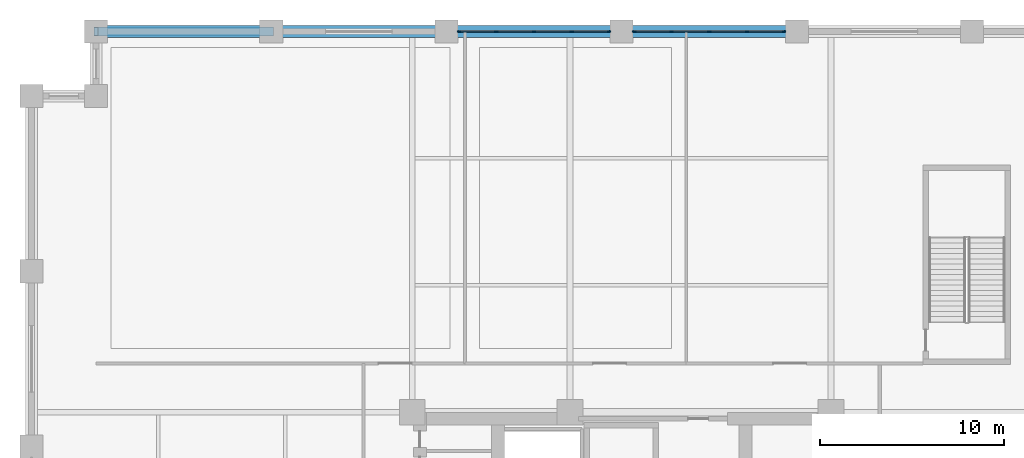
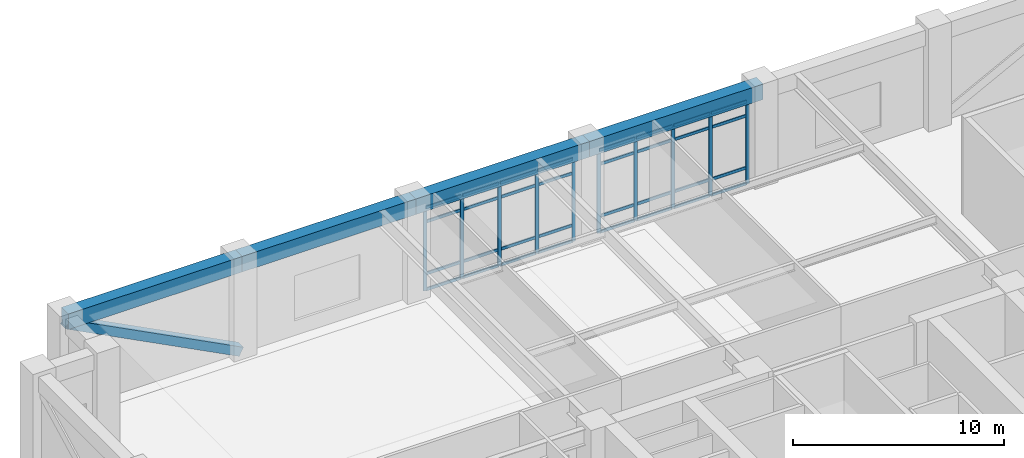
# One storey, part 9 of 21: 43 members, 4 beams, 2 elements without a shape of their own.
"""IFC4 building model written with IfcOpenShell, lengths in metres."""

from ifc_helpers import new_model, si_unit, direction, frame, origin, origin_2d, place, context, subcontext, project, spatial, rectangle, hollow_rectangle, extrude, material, layer, layer_set, material_profile, profile_set, type_object, element, aggregate, save


model = new_model("IFC4")

# Units and contexts
model_context = context("Model", 3, precision=1e-05, world=origin(), true_north=direction((0.0, 1.0)))
body_context = subcontext(model_context, "Body", "Model", "MODEL_VIEW")
ifc_project = project(units=[si_unit("LENGTHUNIT", "METRE"), si_unit("AREAUNIT", "SQUARE_METRE"), si_unit("VOLUMEUNIT", "CUBIC_METRE"), si_unit("PLANEANGLEUNIT", "RADIAN"), si_unit("MASSUNIT", "GRAM", prefix="KILO")], contexts=[model_context])

# Site, building, storey
site_placement = place(None, origin())
site = spatial("IfcSite", under=ifc_project, at=site_placement, CompositionType="ELEMENT")
building_placement = place(site_placement, origin())
building = spatial("IfcBuilding", under=site, at=building_placement, Name="Nhamokura Convention Tower", CompositionType="ELEMENT")
storey_placement = place(building_placement, frame((0.0, 0.0, 17.85009765625)))
storey = spatial("IfcBuildingStorey", under=building, at=storey_placement, Name="L03", CompositionType="ELEMENT", Elevation=17.85009765625)

# Curtain wall, members
ifc_material_1 = material(Name="Anodised bronze aluminium AA6063-T6", Category="aluminium")
ifc_layer = layer(ifc_material_1, 0.199951171875)
ifc_layer_set = layer_set([ifc_layer], Name="CWSystem_ConventionFoyer")
curtain_wall_type = type_object("IfcCurtainWallType", Name="CWSystem_ConventionFoyer", PredefinedType="NOTDEFINED", material=ifc_layer_set)
curtain_wall_1_placement = place(storey_placement, origin())
curtain_wall_1 = element("IfcCurtainWall", 1, at=curtain_wall_1_placement, inside=storey, type_object=curtain_wall_type, Name="L03 Curtain Wall ENV-L03-CW-N2", PredefinedType="NOTDEFINED")
ifc_material_2 = material(Name="Anodised bronze aluminium AA6063-T6", Category="aluminium")
ifc_material_profile_1 = material_profile(ifc_material_2, rectangle(XDim=0.074951171875, YDim=0.199951171875, at=origin_2d()))
ifc_profile_set_1 = profile_set([ifc_material_profile_1], Name="Anodised bronze aluminium AA6063-T6")
member_type_1 = type_object("IfcMemberType", Name="CWMullion_2", PredefinedType="MULLION", material=ifc_profile_set_1)
member_1_placement = place(storey_placement, frame((23.1875, 64.0, 0.0), z_axis=(0.0, 0.0, 1.0), x_axis=(0.0, 1.0, 0.0)))
member_1 = element("IfcMember", 2, at=member_1_placement, type_object=member_type_1, Name="CW-02 mullion 1", PredefinedType="MULLION", context=body_context, shape_type="SweptSolid", body=[
    extrude(rectangle(XDim=0.074951171875, YDim=0.199951171875, at=origin_2d()), origin(), (0.0, 0.0, 1.0), 4.809814453125),
])
member_2_placement = place(storey_placement, frame((25.199951171875, 64.0, 0.0), z_axis=(0.0, 0.0, 1.0), x_axis=(0.0, 1.0, 0.0)))
member_2 = element("IfcMember", 3, at=member_2_placement, type_object=member_type_1, Name="CW-02 mullion 2", PredefinedType="MULLION", context=body_context, shape_type="SweptSolid", body=[
    extrude(rectangle(XDim=0.074951171875, YDim=0.199951171875, at=origin_2d()), origin(), (0.0, 0.0, 1.0), 4.809814453125),
])
member_3_placement = place(storey_placement, frame((27.25, 64.0, 0.0), z_axis=(0.0, 0.0, 1.0), x_axis=(0.0, 1.0, 0.0)))
member_3 = element("IfcMember", 4, at=member_3_placement, type_object=member_type_1, Name="CW-02 mullion 3", PredefinedType="MULLION", context=body_context, shape_type="SweptSolid", body=[
    extrude(rectangle(XDim=0.074951171875, YDim=0.199951171875, at=origin_2d()), origin(), (0.0, 0.0, 1.0), 4.809814453125),
])
member_4_placement = place(storey_placement, frame((29.300048828125, 64.0, 0.0), z_axis=(0.0, 0.0, 1.0), x_axis=(0.0, 1.0, 0.0)))
member_4 = element("IfcMember", 5, at=member_4_placement, type_object=member_type_1, Name="CW-02 mullion 4", PredefinedType="MULLION", context=body_context, shape_type="SweptSolid", body=[
    extrude(rectangle(XDim=0.074951171875, YDim=0.199951171875, at=origin_2d()), origin(), (0.0, 0.0, 1.0), 4.809814453125),
])
member_5_placement = place(storey_placement, frame((31.3125, 64.0, 0.0), z_axis=(0.0, 0.0, 1.0), x_axis=(0.0, 1.0, 0.0)))
member_5 = element("IfcMember", 6, at=member_5_placement, type_object=member_type_1, Name="CW-02 mullion 5", PredefinedType="MULLION", context=body_context, shape_type="SweptSolid", body=[
    extrude(rectangle(XDim=0.074951171875, YDim=0.199951171875, at=origin_2d()), origin(), (0.0, 0.0, 1.0), 4.809814453125),
])

curtain_wall_2_placement = place(storey_placement, origin())
curtain_wall_2 = element("IfcCurtainWall", 7, at=curtain_wall_2_placement, inside=storey, type_object=curtain_wall_type, Name="L03 Curtain Wall ENV-L03-CW-N3", PredefinedType="NOTDEFINED")
member_6_placement = place(storey_placement, frame((32.6875, 64.0, 0.0), z_axis=(0.0, 0.0, 1.0), x_axis=(0.0, 1.0, 0.0)))
member_6 = element("IfcMember", 8, at=member_6_placement, type_object=member_type_1, Name="CW-02 mullion 1", PredefinedType="MULLION", context=body_context, shape_type="SweptSolid", body=[
    extrude(rectangle(XDim=0.074951171875, YDim=0.199951171875, at=origin_2d()), origin(), (0.0, 0.0, 1.0), 4.809814453125),
])
member_7_placement = place(storey_placement, frame((34.699951171875, 64.0, 0.0), z_axis=(0.0, 0.0, 1.0), x_axis=(0.0, 1.0, 0.0)))
member_7 = element("IfcMember", 9, at=member_7_placement, type_object=member_type_1, Name="CW-02 mullion 2", PredefinedType="MULLION", context=body_context, shape_type="SweptSolid", body=[
    extrude(rectangle(XDim=0.074951171875, YDim=0.199951171875, at=origin_2d()), origin(), (0.0, 0.0, 1.0), 4.809814453125),
])
member_8_placement = place(storey_placement, frame((36.75, 64.0, 0.0), z_axis=(0.0, 0.0, 1.0), x_axis=(0.0, 1.0, 0.0)))
member_8 = element("IfcMember", 10, at=member_8_placement, type_object=member_type_1, Name="CW-02 mullion 3", PredefinedType="MULLION", context=body_context, shape_type="SweptSolid", body=[
    extrude(rectangle(XDim=0.074951171875, YDim=0.199951171875, at=origin_2d()), origin(), (0.0, 0.0, 1.0), 4.809814453125),
])
member_9_placement = place(storey_placement, frame((38.800048828125, 64.0, 0.0), z_axis=(0.0, 0.0, 1.0), x_axis=(0.0, 1.0, 0.0)))
member_9 = element("IfcMember", 11, at=member_9_placement, type_object=member_type_1, Name="CW-02 mullion 4", PredefinedType="MULLION", context=body_context, shape_type="SweptSolid", body=[
    extrude(rectangle(XDim=0.074951171875, YDim=0.199951171875, at=origin_2d()), origin(), (0.0, 0.0, 1.0), 4.809814453125),
])
member_10_placement = place(storey_placement, frame((40.8125, 64.0, 0.0), z_axis=(0.0, 0.0, 1.0), x_axis=(0.0, 1.0, 0.0)))
member_10 = element("IfcMember", 12, at=member_10_placement, type_object=member_type_1, Name="CW-02 mullion 5", PredefinedType="MULLION", context=body_context, shape_type="SweptSolid", body=[
    extrude(rectangle(XDim=0.074951171875, YDim=0.199951171875, at=origin_2d()), origin(), (0.0, 0.0, 1.0), 4.809814453125),
])

# Member
ifc_material_3 = material(Name="Anodised bronze aluminium AA6063-T6", Category="aluminium")
ifc_material_profile_2 = material_profile(ifc_material_3, rectangle(XDim=0.074951171875, YDim=0.169921875, at=origin_2d()))
ifc_profile_set_2 = profile_set([ifc_material_profile_2], Name="Anodised bronze aluminium AA6063-T6")
member_type_2 = type_object("IfcMemberType", Name="CWTransom_2", PredefinedType="USERDEFINED", material=ifc_profile_set_2)
member_11_placement = place(storey_placement, frame((23.22509765625, 64.0, 0.037353515625), z_axis=(1.0, 0.0, 0.0), x_axis=(0.0, 1.0, 0.0)))
member_11 = element("IfcMember", 13, at=member_11_placement, type_object=member_type_2, Name="CW-02 transom 1.1", ObjectType="TRANSOM", PredefinedType="USERDEFINED", context=body_context, shape_type="SweptSolid", body=[
    extrude(rectangle(XDim=0.074951171875, YDim=0.169921875, at=origin_2d()), origin(), (0.0, 0.0, 1.0), 1.9375),
])

member_12_placement = place(storey_placement, frame((23.22509765625, 64.0, 0.949951171875), z_axis=(1.0, 0.0, 0.0), x_axis=(0.0, 1.0, 0.0)))
member_12 = element("IfcMember", 14, at=member_12_placement, type_object=member_type_2, Name="CW-02 transom 1.2", ObjectType="TRANSOM", PredefinedType="USERDEFINED", context=body_context, shape_type="SweptSolid", body=[
    extrude(rectangle(XDim=0.074951171875, YDim=0.169921875, at=origin_2d()), origin(), (0.0, 0.0, 1.0), 1.9375),
])

member_13_placement = place(storey_placement, frame((23.22509765625, 64.0, 3.9599609375), z_axis=(1.0, 0.0, 0.0), x_axis=(0.0, 1.0, 0.0)))
member_13 = element("IfcMember", 15, at=member_13_placement, type_object=member_type_2, Name="CW-02 transom 1.3", ObjectType="TRANSOM", PredefinedType="USERDEFINED", context=body_context, shape_type="SweptSolid", body=[
    extrude(rectangle(XDim=0.074951171875, YDim=0.169921875, at=origin_2d()), origin(), (0.0, 0.0, 1.0), 1.9375),
])

member_14_placement = place(storey_placement, frame((23.22509765625, 64.0, 4.7724609375), z_axis=(1.0, 0.0, 0.0), x_axis=(0.0, 1.0, 0.0)))
member_14 = element("IfcMember", 16, at=member_14_placement, type_object=member_type_2, Name="CW-02 transom 1.4", ObjectType="TRANSOM", PredefinedType="USERDEFINED", context=body_context, shape_type="SweptSolid", body=[
    extrude(rectangle(XDim=0.074951171875, YDim=0.169921875, at=origin_2d()), origin(), (0.0, 0.0, 1.0), 1.9375),
])

member_15_placement = place(storey_placement, frame((25.237548828125, 64.0, 0.037353515625), z_axis=(1.0, 0.0, 0.0), x_axis=(0.0, 1.0, 0.0)))
member_15 = element("IfcMember", 17, at=member_15_placement, type_object=member_type_2, Name="CW-02 transom 2.1", ObjectType="TRANSOM", PredefinedType="USERDEFINED", context=body_context, shape_type="SweptSolid", body=[
    extrude(rectangle(XDim=0.074951171875, YDim=0.169921875, at=origin_2d()), origin(), (0.0, 0.0, 1.0), 1.974853515625),
])

member_16_placement = place(storey_placement, frame((25.237548828125, 64.0, 0.949951171875), z_axis=(1.0, 0.0, 0.0), x_axis=(0.0, 1.0, 0.0)))
member_16 = element("IfcMember", 18, at=member_16_placement, type_object=member_type_2, Name="CW-02 transom 2.2", ObjectType="TRANSOM", PredefinedType="USERDEFINED", context=body_context, shape_type="SweptSolid", body=[
    extrude(rectangle(XDim=0.074951171875, YDim=0.169921875, at=origin_2d()), origin(), (0.0, 0.0, 1.0), 1.974853515625),
])

member_17_placement = place(storey_placement, frame((25.237548828125, 64.0, 3.9599609375), z_axis=(1.0, 0.0, 0.0), x_axis=(0.0, 1.0, 0.0)))
member_17 = element("IfcMember", 19, at=member_17_placement, type_object=member_type_2, Name="CW-02 transom 2.3", ObjectType="TRANSOM", PredefinedType="USERDEFINED", context=body_context, shape_type="SweptSolid", body=[
    extrude(rectangle(XDim=0.074951171875, YDim=0.169921875, at=origin_2d()), origin(), (0.0, 0.0, 1.0), 1.974853515625),
])

member_18_placement = place(storey_placement, frame((25.237548828125, 64.0, 4.7724609375), z_axis=(1.0, 0.0, 0.0), x_axis=(0.0, 1.0, 0.0)))
member_18 = element("IfcMember", 20, at=member_18_placement, type_object=member_type_2, Name="CW-02 transom 2.4", ObjectType="TRANSOM", PredefinedType="USERDEFINED", context=body_context, shape_type="SweptSolid", body=[
    extrude(rectangle(XDim=0.074951171875, YDim=0.169921875, at=origin_2d()), origin(), (0.0, 0.0, 1.0), 1.974853515625),
])

member_19_placement = place(storey_placement, frame((27.28759765625, 64.0, 0.037353515625), z_axis=(1.0, 0.0, 0.0), x_axis=(0.0, 1.0, 0.0)))
member_19 = element("IfcMember", 21, at=member_19_placement, type_object=member_type_2, Name="CW-02 transom 3.1", ObjectType="TRANSOM", PredefinedType="USERDEFINED", context=body_context, shape_type="SweptSolid", body=[
    extrude(rectangle(XDim=0.074951171875, YDim=0.169921875, at=origin_2d()), origin(), (0.0, 0.0, 1.0), 1.974853515625),
])

member_20_placement = place(storey_placement, frame((27.28759765625, 64.0, 0.949951171875), z_axis=(1.0, 0.0, 0.0), x_axis=(0.0, 1.0, 0.0)))
member_20 = element("IfcMember", 22, at=member_20_placement, type_object=member_type_2, Name="CW-02 transom 3.2", ObjectType="TRANSOM", PredefinedType="USERDEFINED", context=body_context, shape_type="SweptSolid", body=[
    extrude(rectangle(XDim=0.074951171875, YDim=0.169921875, at=origin_2d()), origin(), (0.0, 0.0, 1.0), 1.974853515625),
])

member_21_placement = place(storey_placement, frame((27.28759765625, 64.0, 3.9599609375), z_axis=(1.0, 0.0, 0.0), x_axis=(0.0, 1.0, 0.0)))
member_21 = element("IfcMember", 23, at=member_21_placement, type_object=member_type_2, Name="CW-02 transom 3.3", ObjectType="TRANSOM", PredefinedType="USERDEFINED", context=body_context, shape_type="SweptSolid", body=[
    extrude(rectangle(XDim=0.074951171875, YDim=0.169921875, at=origin_2d()), origin(), (0.0, 0.0, 1.0), 1.974853515625),
])

member_22_placement = place(storey_placement, frame((27.28759765625, 64.0, 4.7724609375), z_axis=(1.0, 0.0, 0.0), x_axis=(0.0, 1.0, 0.0)))
member_22 = element("IfcMember", 24, at=member_22_placement, type_object=member_type_2, Name="CW-02 transom 3.4", ObjectType="TRANSOM", PredefinedType="USERDEFINED", context=body_context, shape_type="SweptSolid", body=[
    extrude(rectangle(XDim=0.074951171875, YDim=0.169921875, at=origin_2d()), origin(), (0.0, 0.0, 1.0), 1.974853515625),
])

member_23_placement = place(storey_placement, frame((29.33740234375, 64.0, 0.037353515625), z_axis=(1.0, 0.0, 0.0), x_axis=(0.0, 1.0, 0.0)))
member_23 = element("IfcMember", 25, at=member_23_placement, type_object=member_type_2, Name="CW-02 transom 4.1", ObjectType="TRANSOM", PredefinedType="USERDEFINED", context=body_context, shape_type="SweptSolid", body=[
    extrude(rectangle(XDim=0.074951171875, YDim=0.169921875, at=origin_2d()), origin(), (0.0, 0.0, 1.0), 1.9375),
])

member_24_placement = place(storey_placement, frame((29.33740234375, 64.0, 0.949951171875), z_axis=(1.0, 0.0, 0.0), x_axis=(0.0, 1.0, 0.0)))
member_24 = element("IfcMember", 26, at=member_24_placement, type_object=member_type_2, Name="CW-02 transom 4.2", ObjectType="TRANSOM", PredefinedType="USERDEFINED", context=body_context, shape_type="SweptSolid", body=[
    extrude(rectangle(XDim=0.074951171875, YDim=0.169921875, at=origin_2d()), origin(), (0.0, 0.0, 1.0), 1.9375),
])

member_25_placement = place(storey_placement, frame((29.33740234375, 64.0, 3.9599609375), z_axis=(1.0, 0.0, 0.0), x_axis=(0.0, 1.0, 0.0)))
member_25 = element("IfcMember", 27, at=member_25_placement, type_object=member_type_2, Name="CW-02 transom 4.3", ObjectType="TRANSOM", PredefinedType="USERDEFINED", context=body_context, shape_type="SweptSolid", body=[
    extrude(rectangle(XDim=0.074951171875, YDim=0.169921875, at=origin_2d()), origin(), (0.0, 0.0, 1.0), 1.9375),
])

member_26_placement = place(storey_placement, frame((29.33740234375, 64.0, 4.7724609375), z_axis=(1.0, 0.0, 0.0), x_axis=(0.0, 1.0, 0.0)))
member_26 = element("IfcMember", 28, at=member_26_placement, type_object=member_type_2, Name="CW-02 transom 4.4", ObjectType="TRANSOM", PredefinedType="USERDEFINED", context=body_context, shape_type="SweptSolid", body=[
    extrude(rectangle(XDim=0.074951171875, YDim=0.169921875, at=origin_2d()), origin(), (0.0, 0.0, 1.0), 1.9375),
])

aggregate(curtain_wall_1, [member_1, member_2, member_3, member_4, member_5, member_11, member_12, member_13, member_14, member_15, member_16, member_17, member_18, member_19, member_20, member_21, member_22, member_23, member_24, member_25, member_26])

member_27_placement = place(storey_placement, frame((32.72509765625, 64.0, 0.037353515625), z_axis=(1.0, 0.0, 0.0), x_axis=(0.0, 1.0, 0.0)))
member_27 = element("IfcMember", 29, at=member_27_placement, type_object=member_type_2, Name="CW-02 transom 1.1", ObjectType="TRANSOM", PredefinedType="USERDEFINED", context=body_context, shape_type="SweptSolid", body=[
    extrude(rectangle(XDim=0.074951171875, YDim=0.169921875, at=origin_2d()), origin(), (0.0, 0.0, 1.0), 1.9375),
])

member_28_placement = place(storey_placement, frame((32.72509765625, 64.0, 0.949951171875), z_axis=(1.0, 0.0, 0.0), x_axis=(0.0, 1.0, 0.0)))
member_28 = element("IfcMember", 30, at=member_28_placement, type_object=member_type_2, Name="CW-02 transom 1.2", ObjectType="TRANSOM", PredefinedType="USERDEFINED", context=body_context, shape_type="SweptSolid", body=[
    extrude(rectangle(XDim=0.074951171875, YDim=0.169921875, at=origin_2d()), origin(), (0.0, 0.0, 1.0), 1.9375),
])

member_29_placement = place(storey_placement, frame((32.72509765625, 64.0, 3.9599609375), z_axis=(1.0, 0.0, 0.0), x_axis=(0.0, 1.0, 0.0)))
member_29 = element("IfcMember", 31, at=member_29_placement, type_object=member_type_2, Name="CW-02 transom 1.3", ObjectType="TRANSOM", PredefinedType="USERDEFINED", context=body_context, shape_type="SweptSolid", body=[
    extrude(rectangle(XDim=0.074951171875, YDim=0.169921875, at=origin_2d()), origin(), (0.0, 0.0, 1.0), 1.9375),
])

member_30_placement = place(storey_placement, frame((32.72509765625, 64.0, 4.7724609375), z_axis=(1.0, 0.0, 0.0), x_axis=(0.0, 1.0, 0.0)))
member_30 = element("IfcMember", 32, at=member_30_placement, type_object=member_type_2, Name="CW-02 transom 1.4", ObjectType="TRANSOM", PredefinedType="USERDEFINED", context=body_context, shape_type="SweptSolid", body=[
    extrude(rectangle(XDim=0.074951171875, YDim=0.169921875, at=origin_2d()), origin(), (0.0, 0.0, 1.0), 1.9375),
])

member_31_placement = place(storey_placement, frame((34.737548828125, 64.0, 0.037353515625), z_axis=(1.0, 0.0, 0.0), x_axis=(0.0, 1.0, 0.0)))
member_31 = element("IfcMember", 33, at=member_31_placement, type_object=member_type_2, Name="CW-02 transom 2.1", ObjectType="TRANSOM", PredefinedType="USERDEFINED", context=body_context, shape_type="SweptSolid", body=[
    extrude(rectangle(XDim=0.074951171875, YDim=0.169921875, at=origin_2d()), origin(), (0.0, 0.0, 1.0), 1.974853515625),
])

member_32_placement = place(storey_placement, frame((34.737548828125, 64.0, 0.949951171875), z_axis=(1.0, 0.0, 0.0), x_axis=(0.0, 1.0, 0.0)))
member_32 = element("IfcMember", 34, at=member_32_placement, type_object=member_type_2, Name="CW-02 transom 2.2", ObjectType="TRANSOM", PredefinedType="USERDEFINED", context=body_context, shape_type="SweptSolid", body=[
    extrude(rectangle(XDim=0.074951171875, YDim=0.169921875, at=origin_2d()), origin(), (0.0, 0.0, 1.0), 1.974853515625),
])

member_33_placement = place(storey_placement, frame((34.737548828125, 64.0, 3.9599609375), z_axis=(1.0, 0.0, 0.0), x_axis=(0.0, 1.0, 0.0)))
member_33 = element("IfcMember", 35, at=member_33_placement, type_object=member_type_2, Name="CW-02 transom 2.3", ObjectType="TRANSOM", PredefinedType="USERDEFINED", context=body_context, shape_type="SweptSolid", body=[
    extrude(rectangle(XDim=0.074951171875, YDim=0.169921875, at=origin_2d()), origin(), (0.0, 0.0, 1.0), 1.974853515625),
])

member_34_placement = place(storey_placement, frame((34.737548828125, 64.0, 4.7724609375), z_axis=(1.0, 0.0, 0.0), x_axis=(0.0, 1.0, 0.0)))
member_34 = element("IfcMember", 36, at=member_34_placement, type_object=member_type_2, Name="CW-02 transom 2.4", ObjectType="TRANSOM", PredefinedType="USERDEFINED", context=body_context, shape_type="SweptSolid", body=[
    extrude(rectangle(XDim=0.074951171875, YDim=0.169921875, at=origin_2d()), origin(), (0.0, 0.0, 1.0), 1.974853515625),
])

member_35_placement = place(storey_placement, frame((36.78759765625, 64.0, 0.037353515625), z_axis=(1.0, 0.0, 0.0), x_axis=(0.0, 1.0, 0.0)))
member_35 = element("IfcMember", 37, at=member_35_placement, type_object=member_type_2, Name="CW-02 transom 3.1", ObjectType="TRANSOM", PredefinedType="USERDEFINED", context=body_context, shape_type="SweptSolid", body=[
    extrude(rectangle(XDim=0.074951171875, YDim=0.169921875, at=origin_2d()), origin(), (0.0, 0.0, 1.0), 1.974853515625),
])

member_36_placement = place(storey_placement, frame((36.78759765625, 64.0, 0.949951171875), z_axis=(1.0, 0.0, 0.0), x_axis=(0.0, 1.0, 0.0)))
member_36 = element("IfcMember", 38, at=member_36_placement, type_object=member_type_2, Name="CW-02 transom 3.2", ObjectType="TRANSOM", PredefinedType="USERDEFINED", context=body_context, shape_type="SweptSolid", body=[
    extrude(rectangle(XDim=0.074951171875, YDim=0.169921875, at=origin_2d()), origin(), (0.0, 0.0, 1.0), 1.974853515625),
])

member_37_placement = place(storey_placement, frame((36.78759765625, 64.0, 3.9599609375), z_axis=(1.0, 0.0, 0.0), x_axis=(0.0, 1.0, 0.0)))
member_37 = element("IfcMember", 39, at=member_37_placement, type_object=member_type_2, Name="CW-02 transom 3.3", ObjectType="TRANSOM", PredefinedType="USERDEFINED", context=body_context, shape_type="SweptSolid", body=[
    extrude(rectangle(XDim=0.074951171875, YDim=0.169921875, at=origin_2d()), origin(), (0.0, 0.0, 1.0), 1.974853515625),
])

member_38_placement = place(storey_placement, frame((36.78759765625, 64.0, 4.7724609375), z_axis=(1.0, 0.0, 0.0), x_axis=(0.0, 1.0, 0.0)))
member_38 = element("IfcMember", 40, at=member_38_placement, type_object=member_type_2, Name="CW-02 transom 3.4", ObjectType="TRANSOM", PredefinedType="USERDEFINED", context=body_context, shape_type="SweptSolid", body=[
    extrude(rectangle(XDim=0.074951171875, YDim=0.169921875, at=origin_2d()), origin(), (0.0, 0.0, 1.0), 1.974853515625),
])

member_39_placement = place(storey_placement, frame((38.83740234375, 64.0, 0.037353515625), z_axis=(1.0, 0.0, 0.0), x_axis=(0.0, 1.0, 0.0)))
member_39 = element("IfcMember", 41, at=member_39_placement, type_object=member_type_2, Name="CW-02 transom 4.1", ObjectType="TRANSOM", PredefinedType="USERDEFINED", context=body_context, shape_type="SweptSolid", body=[
    extrude(rectangle(XDim=0.074951171875, YDim=0.169921875, at=origin_2d()), origin(), (0.0, 0.0, 1.0), 1.9375),
])

member_40_placement = place(storey_placement, frame((38.83740234375, 64.0, 0.949951171875), z_axis=(1.0, 0.0, 0.0), x_axis=(0.0, 1.0, 0.0)))
member_40 = element("IfcMember", 42, at=member_40_placement, type_object=member_type_2, Name="CW-02 transom 4.2", ObjectType="TRANSOM", PredefinedType="USERDEFINED", context=body_context, shape_type="SweptSolid", body=[
    extrude(rectangle(XDim=0.074951171875, YDim=0.169921875, at=origin_2d()), origin(), (0.0, 0.0, 1.0), 1.9375),
])

member_41_placement = place(storey_placement, frame((38.83740234375, 64.0, 3.9599609375), z_axis=(1.0, 0.0, 0.0), x_axis=(0.0, 1.0, 0.0)))
member_41 = element("IfcMember", 43, at=member_41_placement, type_object=member_type_2, Name="CW-02 transom 4.3", ObjectType="TRANSOM", PredefinedType="USERDEFINED", context=body_context, shape_type="SweptSolid", body=[
    extrude(rectangle(XDim=0.074951171875, YDim=0.169921875, at=origin_2d()), origin(), (0.0, 0.0, 1.0), 1.9375),
])

member_42_placement = place(storey_placement, frame((38.83740234375, 64.0, 4.7724609375), z_axis=(1.0, 0.0, 0.0), x_axis=(0.0, 1.0, 0.0)))
member_42 = element("IfcMember", 44, at=member_42_placement, type_object=member_type_2, Name="CW-02 transom 4.4", ObjectType="TRANSOM", PredefinedType="USERDEFINED", context=body_context, shape_type="SweptSolid", body=[
    extrude(rectangle(XDim=0.074951171875, YDim=0.169921875, at=origin_2d()), origin(), (0.0, 0.0, 1.0), 1.9375),
])

aggregate(curtain_wall_2, [member_6, member_7, member_8, member_9, member_10, member_27, member_28, member_29, member_30, member_31, member_32, member_33, member_34, member_35, member_36, member_37, member_38, member_39, member_40, member_41, member_42])

ifc_material_4 = material(Name="Steel ASTM A572 Gr 50", Category="steel")
ifc_material_profile_3 = material_profile(ifc_material_4, hollow_rectangle(XDim=0.5, YDim=0.5, WallThickness=0.02490234375, at=origin_2d()))
ifc_profile_set_3 = profile_set([ifc_material_profile_3], Name="Steel ASTM A572 Gr 50")
member_type_3 = type_object("IfcMemberType", Name="TubeBrace_HSS500", PredefinedType="BRACE", material=ifc_profile_set_3)
member_43_placement = place(storey_placement, frame((13.0, 64.0, 0.14990234375), z_axis=(-0.888365692966, 0.0, 0.459136576152), x_axis=(0.0, -1.0, 0.0)))
element("IfcMember", 45, at=member_43_placement, inside=storey, type_object=member_type_3, Name="L03 Perimeter Tube Brace NORTH Bay 0", PredefinedType="BRACE", context=body_context, shape_type="SweptSolid", body=[
    extrude(hollow_rectangle(XDim=0.5, YDim=0.5, WallThickness=0.02490234375, at=origin_2d()), origin(), (0.0, 0.0, 1.0), 10.69384765625),
])

# Beams
ifc_material_5 = material(Name="Concrete C60/75", Category="concrete")
ifc_material_profile_4 = material_profile(ifc_material_5, rectangle(XDim=0.64990234375, YDim=0.89990234375, at=origin_2d()))
ifc_profile_set_4 = profile_set([ifc_material_profile_4], Name="Concrete C60/75")
beam_type = type_object("IfcBeamType", Name="TubeSpandrel_900", PredefinedType="SPANDREL", material=ifc_profile_set_4)
for number, where, z_axis, x_axis, name in (
    (46, (3.5, 64.0, 5.260009765625), (1.0, 0.0, 0.0), (0.0, 1.0, 0.0), "L03 Perimeter Spandrel NORTH 1"),
    (47, (13.0, 64.0, 5.260009765625), (1.0, 0.0, 0.0), (0.0, 1.0, 0.0), "L03 Perimeter Spandrel NORTH 2"),
    (48, (22.5, 64.0, 5.260009765625), (1.0, 0.0, 0.0), (0.0, 1.0, 0.0), "L03 Perimeter Spandrel NORTH 3"),
    (49, (32.0, 64.0, 5.260009765625), (1.0, 0.0, 0.0), (0.0, 1.0, 0.0), "L03 Perimeter Spandrel NORTH 4"),
):
    element("IfcBeam", number, at=place(storey_placement, frame(where, z_axis=z_axis, x_axis=x_axis)), inside=storey, type_object=beam_type, Name=name, PredefinedType="SPANDREL", context=body_context, shape_type="SweptSolid", body=[
        extrude(rectangle(XDim=0.64990234375, YDim=0.89990234375, at=origin_2d()), origin(), (0.0, 0.0, 1.0), 9.5),
    ])

save(model, "model.ifc")
